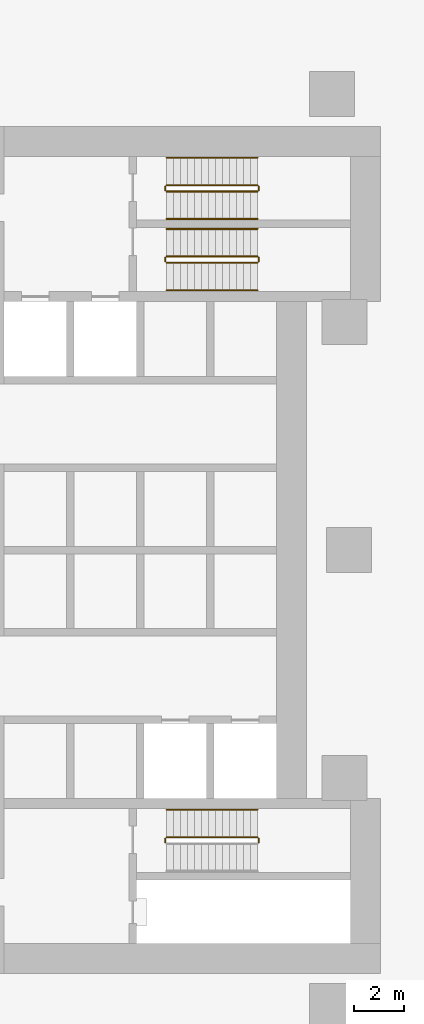
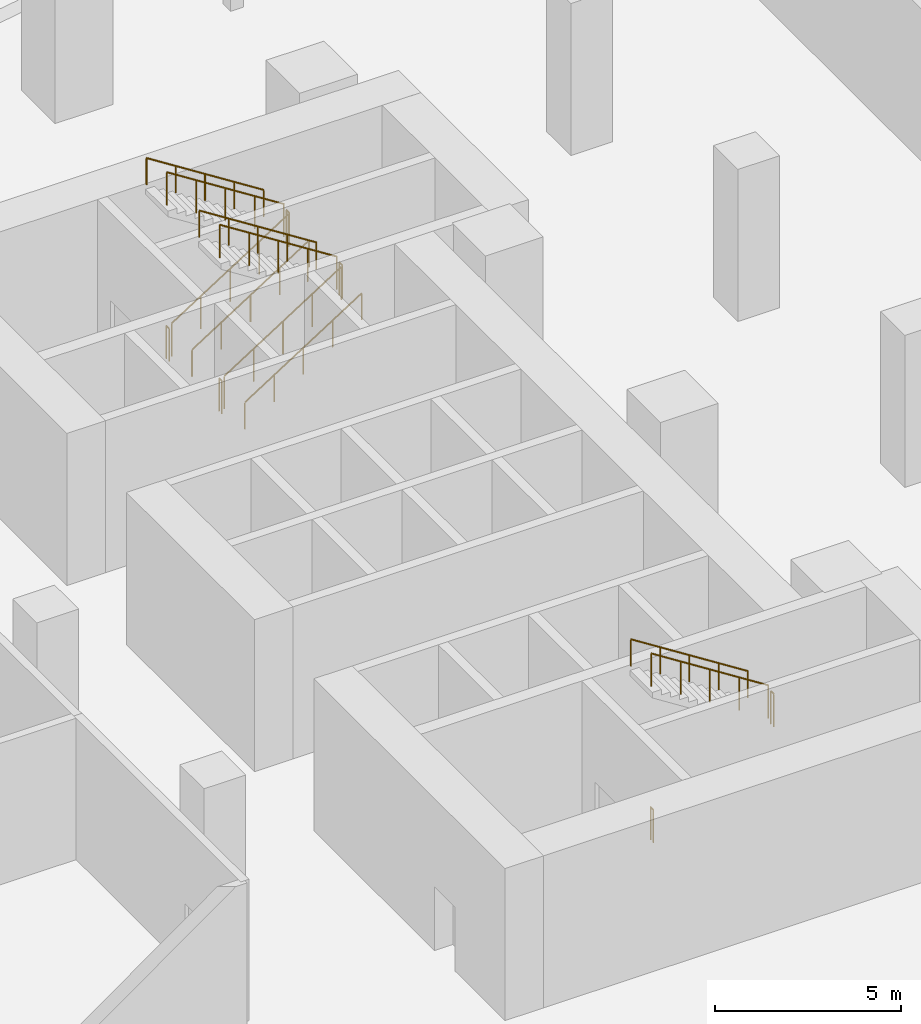
# One storey, part 8 of 9: 16 railings.
"""IFC4 building model written with IfcOpenShell, lengths in metres."""

from ifc_helpers import new_model, si_unit, direction, frame, origin, origin_2d, place, context, subcontext, project, spatial, circle, extrude, material, type_object, element, save


model = new_model("IFC4")

# Units and contexts
model_context = context("Model", 3, precision=1e-05, world=origin(), true_north=direction((0.0, 1.0)))
body_context = subcontext(model_context, "Body", "Model", "MODEL_VIEW")
ifc_project = project(units=[si_unit("LENGTHUNIT", "METRE"), si_unit("AREAUNIT", "SQUARE_METRE"), si_unit("VOLUMEUNIT", "CUBIC_METRE"), si_unit("PLANEANGLEUNIT", "RADIAN"), si_unit("MASSUNIT", "GRAM", prefix="KILO")], contexts=[model_context])

# Site, building, storey
site_placement = place(None, origin())
site = spatial("IfcSite", under=ifc_project, at=site_placement, CompositionType="ELEMENT")
building_placement = place(site_placement, origin())
building = spatial("IfcBuilding", under=site, at=building_placement, Name="Ostrand Prow Hotel Tower", CompositionType="ELEMENT")
storey_placement = place(building_placement, frame((0.0, 0.0, -5.0)))
storey = spatial("IfcBuildingStorey", under=building, at=storey_placement, Name="B1", CompositionType="ELEMENT", Elevation=-5.0)

# Railings
ifc_material_1 = material(Name="Painted steel", Category="steel")
railing_type_1 = type_object("IfcRailingType", Name="Stair guard 1100", PredefinedType="GUARDRAIL", material=ifc_material_1)
railing_1_placement = place(storey_placement, frame((57.199951171875, 11.5, 0.178466796875)))
element("IfcRailing", 1, at=railing_1_placement, inside=storey, type_object=railing_type_1, Name="B1 ST1A stair guard 1", PredefinedType="GUARDRAIL", context=body_context, shape_type="SweptSolid", body=[
    extrude(circle(Radius=0.02392578125, at=origin_2d()), frame((0.0, 0.0, 1.076171875), z_axis=(0.843127859045, 0.0, 0.537713132908), x_axis=(0.0, 1.0, 0.0)), (0.0, 0.0, 1.0), 4.3173828125),
    extrude(circle(Radius=0.02099609375, at=origin_2d()), origin(), (0.0, 0.0, 1.0), 1.052001953125),
    extrude(circle(Radius=0.02099609375, at=origin_2d()), frame((0.91015625, 0.0, 0.580322265625)), (0.0, 0.0, 1.0), 1.052001953125),
    extrude(circle(Radius=0.02099609375, at=origin_2d()), frame((1.820068359375, 0.0, 1.16064453125)), (0.0, 0.0, 1.0), 1.052001953125),
    extrude(circle(Radius=0.02099609375, at=origin_2d()), frame((2.72998046875, 0.0, 1.7412109375)), (0.0, 0.0, 1.0), 1.052001953125),
    extrude(circle(Radius=0.02099609375, at=origin_2d()), frame((3.64013671875, 0.0, 2.321533203125)), (0.0, 0.0, 1.0), 1.052001953125),
])
railing_2_placement = place(storey_placement, frame((60.889892578125, 11.550048828125, 2.5)))
element("IfcRailing", 2, at=railing_2_placement, inside=storey, type_object=railing_type_1, Name="B1 ST1A stair guard 2", PredefinedType="GUARDRAIL", context=body_context, shape_type="SweptSolid", body=[
    extrude(circle(Radius=0.02392578125, at=origin_2d()), frame((0.0, 0.0, 1.076171875), z_axis=(0.0, 1.0, 0.0), x_axis=(-1.0, 0.0, 0.0)), (0.0, 0.0, 1.0), 0.14990234375),
    extrude(circle(Radius=0.02099609375, at=origin_2d()), origin(), (0.0, 0.0, 1.0), 1.052001953125),
    extrude(circle(Radius=0.02099609375, at=origin_2d()), frame((0.0, 0.14990234375, 0.0)), (0.0, 0.0, 1.0), 1.052001953125),
])
railing_3_placement = place(storey_placement, frame((60.840087890625, 11.75, 2.678466796875)))
element("IfcRailing", 3, at=railing_3_placement, inside=storey, type_object=railing_type_1, Name="B1 ST1A stair guard 3", PredefinedType="GUARDRAIL", context=body_context, shape_type="SweptSolid", body=[
    extrude(circle(Radius=0.02392578125, at=origin_2d()), frame((0.0, 0.0, 1.076171875), z_axis=(-0.843127859045, 0.0, 0.537713132908), x_axis=(0.0, -1.0, 0.0)), (0.0, 0.0, 1.0), 4.3173828125),
    extrude(circle(Radius=0.02099609375, at=origin_2d()), origin(), (0.0, 0.0, 1.0), 1.052001953125),
    extrude(circle(Radius=0.02099609375, at=origin_2d()), frame((-0.91015625, 0.0, 0.580322265625)), (0.0, 0.0, 1.0), 1.052001953125),
    extrude(circle(Radius=0.02099609375, at=origin_2d()), frame((-1.820068359375, 0.0, 1.16064453125)), (0.0, 0.0, 1.0), 1.052001953125),
    extrude(circle(Radius=0.02099609375, at=origin_2d()), frame((-2.72998046875, 0.0, 1.7412109375)), (0.0, 0.0, 1.0), 1.052001953125),
    extrude(circle(Radius=0.02099609375, at=origin_2d()), frame((-3.64013671875, 0.0, 2.321533203125)), (0.0, 0.0, 1.0), 1.052001953125),
])
railing_4_placement = place(storey_placement, frame((57.14990234375, 11.550048828125, 0.0)))
element("IfcRailing", 4, at=railing_4_placement, inside=storey, type_object=railing_type_1, Name="B1 ST1A stair guard 4", PredefinedType="GUARDRAIL", context=body_context, shape_type="SweptSolid", body=[
    extrude(circle(Radius=0.02392578125, at=origin_2d()), frame((0.0, 0.0, 1.076171875), z_axis=(0.0, 1.0, 0.0), x_axis=(-1.0, 0.0, 0.0)), (0.0, 0.0, 1.0), 0.14990234375),
    extrude(circle(Radius=0.02099609375, at=origin_2d()), origin(), (0.0, 0.0, 1.0), 1.052001953125),
    extrude(circle(Radius=0.02099609375, at=origin_2d()), frame((0.0, 0.14990234375, 0.0)), (0.0, 0.0, 1.0), 1.052001953125),
])
railing_5_placement = place(storey_placement, frame((57.199951171875, 14.35009765625, 0.178466796875)))
element("IfcRailing", 5, at=railing_5_placement, inside=storey, type_object=railing_type_1, Name="B1 ST3A stair guard 1", PredefinedType="GUARDRAIL", context=body_context, shape_type="SweptSolid", body=[
    extrude(circle(Radius=0.02392578125, at=origin_2d()), frame((0.0, 0.0, 1.076171875), z_axis=(0.843127859045, 0.0, 0.537713132908), x_axis=(0.0, 1.0, 0.0)), (0.0, 0.0, 1.0), 4.3173828125),
    extrude(circle(Radius=0.02099609375, at=origin_2d()), origin(), (0.0, 0.0, 1.0), 1.052001953125),
    extrude(circle(Radius=0.02099609375, at=origin_2d()), frame((0.91015625, 0.0, 0.580322265625)), (0.0, 0.0, 1.0), 1.052001953125),
    extrude(circle(Radius=0.02099609375, at=origin_2d()), frame((1.820068359375, 0.0, 1.16064453125)), (0.0, 0.0, 1.0), 1.052001953125),
    extrude(circle(Radius=0.02099609375, at=origin_2d()), frame((2.72998046875, 0.0, 1.7412109375)), (0.0, 0.0, 1.0), 1.052001953125),
    extrude(circle(Radius=0.02099609375, at=origin_2d()), frame((3.64013671875, 0.0, 2.321533203125)), (0.0, 0.0, 1.0), 1.052001953125),
])
railing_6_placement = place(storey_placement, frame((60.889892578125, 14.39990234375, 2.5)))
element("IfcRailing", 6, at=railing_6_placement, inside=storey, type_object=railing_type_1, Name="B1 ST3A stair guard 2", PredefinedType="GUARDRAIL", context=body_context, shape_type="SweptSolid", body=[
    extrude(circle(Radius=0.02392578125, at=origin_2d()), frame((0.0, 0.0, 1.076171875), z_axis=(0.0, 1.0, 0.0), x_axis=(-1.0, 0.0, 0.0)), (0.0, 0.0, 1.0), 0.150146484375),
    extrude(circle(Radius=0.02099609375, at=origin_2d()), origin(), (0.0, 0.0, 1.0), 1.052001953125),
    extrude(circle(Radius=0.02099609375, at=origin_2d()), frame((0.0, 0.150146484375, 0.0)), (0.0, 0.0, 1.0), 1.052001953125),
])
railing_7_placement = place(storey_placement, frame((60.840087890625, 14.60009765625, 2.678466796875)))
element("IfcRailing", 7, at=railing_7_placement, inside=storey, type_object=railing_type_1, Name="B1 ST3A stair guard 3", PredefinedType="GUARDRAIL", context=body_context, shape_type="SweptSolid", body=[
    extrude(circle(Radius=0.02392578125, at=origin_2d()), frame((0.0, 0.0, 1.076171875), z_axis=(-0.843127859045, 0.0, 0.537713132908), x_axis=(0.0, -1.0, 0.0)), (0.0, 0.0, 1.0), 4.3173828125),
    extrude(circle(Radius=0.02099609375, at=origin_2d()), origin(), (0.0, 0.0, 1.0), 1.052001953125),
    extrude(circle(Radius=0.02099609375, at=origin_2d()), frame((-0.91015625, 0.0, 0.580322265625)), (0.0, 0.0, 1.0), 1.052001953125),
    extrude(circle(Radius=0.02099609375, at=origin_2d()), frame((-1.820068359375, 0.0, 1.16064453125)), (0.0, 0.0, 1.0), 1.052001953125),
    extrude(circle(Radius=0.02099609375, at=origin_2d()), frame((-2.72998046875, 0.0, 1.7412109375)), (0.0, 0.0, 1.0), 1.052001953125),
    extrude(circle(Radius=0.02099609375, at=origin_2d()), frame((-3.64013671875, 0.0, 2.321533203125)), (0.0, 0.0, 1.0), 1.052001953125),
])
railing_8_placement = place(storey_placement, frame((57.14990234375, 14.39990234375, 0.0)))
element("IfcRailing", 8, at=railing_8_placement, inside=storey, type_object=railing_type_1, Name="B1 ST3A stair guard 4", PredefinedType="GUARDRAIL", context=body_context, shape_type="SweptSolid", body=[
    extrude(circle(Radius=0.02392578125, at=origin_2d()), frame((0.0, 0.0, 1.076171875), z_axis=(0.0, 1.0, 0.0), x_axis=(-1.0, 0.0, 0.0)), (0.0, 0.0, 1.0), 0.150146484375),
    extrude(circle(Radius=0.02099609375, at=origin_2d()), origin(), (0.0, 0.0, 1.0), 1.052001953125),
    extrude(circle(Radius=0.02099609375, at=origin_2d()), frame((0.0, 0.150146484375, 0.0)), (0.0, 0.0, 1.0), 1.052001953125),
])
railing_9_placement = place(storey_placement, frame((60.889892578125, -11.699951171875, 2.5)))
element("IfcRailing", 9, at=railing_9_placement, inside=storey, type_object=railing_type_1, Name="B1 ST2A stair guard 2", PredefinedType="GUARDRAIL", context=body_context, shape_type="SweptSolid", body=[
    extrude(circle(Radius=0.02392578125, at=origin_2d()), frame((0.0, 0.0, 1.076171875), z_axis=(0.0, 1.0, 0.0), x_axis=(-1.0, 0.0, 0.0)), (0.0, 0.0, 1.0), 0.14990234375),
    extrude(circle(Radius=0.02099609375, at=origin_2d()), origin(), (0.0, 0.0, 1.0), 1.052001953125),
    extrude(circle(Radius=0.02099609375, at=origin_2d()), frame((0.0, 0.14990234375, 0.0)), (0.0, 0.0, 1.0), 1.052001953125),
])
railing_10_placement = place(storey_placement, frame((60.840087890625, -11.5, 2.678466796875)))
element("IfcRailing", 10, at=railing_10_placement, inside=storey, type_object=railing_type_1, Name="B1 ST2A stair guard 3", PredefinedType="GUARDRAIL", context=body_context, shape_type="SweptSolid", body=[
    extrude(circle(Radius=0.02392578125, at=origin_2d()), frame((0.0, 0.0, 1.076171875), z_axis=(-0.843127859045, 0.0, 0.537713132908), x_axis=(0.0, -1.0, 0.0)), (0.0, 0.0, 1.0), 4.3173828125),
    extrude(circle(Radius=0.02099609375, at=origin_2d()), origin(), (0.0, 0.0, 1.0), 1.052001953125),
    extrude(circle(Radius=0.02099609375, at=origin_2d()), frame((-0.91015625, 0.0, 0.580322265625)), (0.0, 0.0, 1.0), 1.052001953125),
    extrude(circle(Radius=0.02099609375, at=origin_2d()), frame((-1.820068359375, 0.0, 1.16064453125)), (0.0, 0.0, 1.0), 1.052001953125),
    extrude(circle(Radius=0.02099609375, at=origin_2d()), frame((-2.72998046875, 0.0, 1.7412109375)), (0.0, 0.0, 1.0), 1.052001953125),
    extrude(circle(Radius=0.02099609375, at=origin_2d()), frame((-3.64013671875, 0.0, 2.321533203125)), (0.0, 0.0, 1.0), 1.052001953125),
])
railing_11_placement = place(storey_placement, frame((57.14990234375, -11.699951171875, 0.0)))
element("IfcRailing", 11, at=railing_11_placement, inside=storey, type_object=railing_type_1, Name="B1 ST2A stair guard 4", PredefinedType="GUARDRAIL", context=body_context, shape_type="SweptSolid", body=[
    extrude(circle(Radius=0.02392578125, at=origin_2d()), frame((0.0, 0.0, 1.076171875), z_axis=(0.0, 1.0, 0.0), x_axis=(-1.0, 0.0, 0.0)), (0.0, 0.0, 1.0), 0.14990234375),
    extrude(circle(Radius=0.02099609375, at=origin_2d()), origin(), (0.0, 0.0, 1.0), 1.052001953125),
    extrude(circle(Radius=0.02099609375, at=origin_2d()), frame((0.0, 0.14990234375, 0.0)), (0.0, 0.0, 1.0), 1.052001953125),
])
ifc_material_2 = material(Name="Stainless steel", Category="steel")
railing_type_2 = type_object("IfcRailingType", Name="Stair handrail 900", PredefinedType="HANDRAIL", material=ifc_material_2)
railing_12_placement = place(storey_placement, frame((57.199951171875, 10.39990234375, 0.178466796875)))
element("IfcRailing", 12, at=railing_12_placement, inside=storey, type_object=railing_type_2, Name="B1 ST1A stair handrail 1", PredefinedType="HANDRAIL", context=body_context, shape_type="SweptSolid", body=[
    extrude(circle(Radius=0.02392578125, at=origin_2d()), frame((0.0, 0.0, 0.8759765625), z_axis=(0.843127859045, 0.0, 0.537713132908), x_axis=(0.0, 1.0, 0.0)), (0.0, 0.0, 1.0), 4.3173828125),
    extrude(circle(Radius=0.02099609375, at=origin_2d()), origin(), (0.0, 0.0, 1.0), 0.851806640625),
    extrude(circle(Radius=0.02099609375, at=origin_2d()), frame((0.91015625, 0.0, 0.580322265625)), (0.0, 0.0, 1.0), 0.851806640625),
    extrude(circle(Radius=0.02099609375, at=origin_2d()), frame((1.820068359375, 0.0, 1.16064453125)), (0.0, 0.0, 1.0), 0.851806640625),
    extrude(circle(Radius=0.02099609375, at=origin_2d()), frame((2.72998046875, 0.0, 1.7412109375)), (0.0, 0.0, 1.0), 0.851806640625),
    extrude(circle(Radius=0.02099609375, at=origin_2d()), frame((3.64013671875, 0.0, 2.321533203125)), (0.0, 0.0, 1.0), 0.851806640625),
])
railing_13_placement = place(storey_placement, frame((60.840087890625, 12.85009765625, 2.678466796875)))
element("IfcRailing", 13, at=railing_13_placement, inside=storey, type_object=railing_type_2, Name="B1 ST1A stair handrail 2", PredefinedType="HANDRAIL", context=body_context, shape_type="SweptSolid", body=[
    extrude(circle(Radius=0.02392578125, at=origin_2d()), frame((0.0, 0.0, 0.8759765625), z_axis=(-0.843127859045, 0.0, 0.537713132908), x_axis=(0.0, -1.0, 0.0)), (0.0, 0.0, 1.0), 4.3173828125),
    extrude(circle(Radius=0.02099609375, at=origin_2d()), origin(), (0.0, 0.0, 1.0), 0.851806640625),
    extrude(circle(Radius=0.02099609375, at=origin_2d()), frame((-0.91015625, 0.0, 0.580322265625)), (0.0, 0.0, 1.0), 0.851806640625),
    extrude(circle(Radius=0.02099609375, at=origin_2d()), frame((-1.820068359375, 0.0, 1.16064453125)), (0.0, 0.0, 1.0), 0.851806640625),
    extrude(circle(Radius=0.02099609375, at=origin_2d()), frame((-2.72998046875, 0.0, 1.7412109375)), (0.0, 0.0, 1.0), 0.851806640625),
    extrude(circle(Radius=0.02099609375, at=origin_2d()), frame((-3.64013671875, 0.0, 2.321533203125)), (0.0, 0.0, 1.0), 0.851806640625),
])
railing_14_placement = place(storey_placement, frame((57.199951171875, 13.25, 0.178466796875)))
element("IfcRailing", 14, at=railing_14_placement, inside=storey, type_object=railing_type_2, Name="B1 ST3A stair handrail 1", PredefinedType="HANDRAIL", context=body_context, shape_type="SweptSolid", body=[
    extrude(circle(Radius=0.02392578125, at=origin_2d()), frame((0.0, 0.0, 0.8759765625), z_axis=(0.843127859045, 0.0, 0.537713132908), x_axis=(0.0, 1.0, 0.0)), (0.0, 0.0, 1.0), 4.3173828125),
    extrude(circle(Radius=0.02099609375, at=origin_2d()), origin(), (0.0, 0.0, 1.0), 0.851806640625),
    extrude(circle(Radius=0.02099609375, at=origin_2d()), frame((0.91015625, 0.0, 0.580322265625)), (0.0, 0.0, 1.0), 0.851806640625),
    extrude(circle(Radius=0.02099609375, at=origin_2d()), frame((1.820068359375, 0.0, 1.16064453125)), (0.0, 0.0, 1.0), 0.851806640625),
    extrude(circle(Radius=0.02099609375, at=origin_2d()), frame((2.72998046875, 0.0, 1.7412109375)), (0.0, 0.0, 1.0), 0.851806640625),
    extrude(circle(Radius=0.02099609375, at=origin_2d()), frame((3.64013671875, 0.0, 2.321533203125)), (0.0, 0.0, 1.0), 0.851806640625),
])
for number, where, name in (
    (15, (60.840087890625, 15.699951171875, 2.678466796875), "B1 ST3A stair handrail 2"),
    (16, (60.840087890625, -10.39990234375, 2.678466796875), "B1 ST2A stair handrail 2"),
):
    element("IfcRailing", number, at=place(storey_placement, frame(where)), inside=storey, type_object=railing_type_2, Name=name, PredefinedType="HANDRAIL", context=body_context, shape_type="SweptSolid", body=[
        extrude(circle(Radius=0.02392578125, at=origin_2d()), frame((0.0, 0.0, 0.8759765625), z_axis=(-0.843127859045, 0.0, 0.537713132908), x_axis=(0.0, -1.0, 0.0)), (0.0, 0.0, 1.0), 4.3173828125),
        extrude(circle(Radius=0.02099609375, at=origin_2d()), origin(), (0.0, 0.0, 1.0), 0.851806640625),
        extrude(circle(Radius=0.02099609375, at=origin_2d()), frame((-0.91015625, 0.0, 0.580322265625)), (0.0, 0.0, 1.0), 0.851806640625),
        extrude(circle(Radius=0.02099609375, at=origin_2d()), frame((-1.820068359375, 0.0, 1.16064453125)), (0.0, 0.0, 1.0), 0.851806640625),
        extrude(circle(Radius=0.02099609375, at=origin_2d()), frame((-2.72998046875, 0.0, 1.7412109375)), (0.0, 0.0, 1.0), 0.851806640625),
        extrude(circle(Radius=0.02099609375, at=origin_2d()), frame((-3.64013671875, 0.0, 2.321533203125)), (0.0, 0.0, 1.0), 0.851806640625),
    ])

save(model, "model.ifc")
